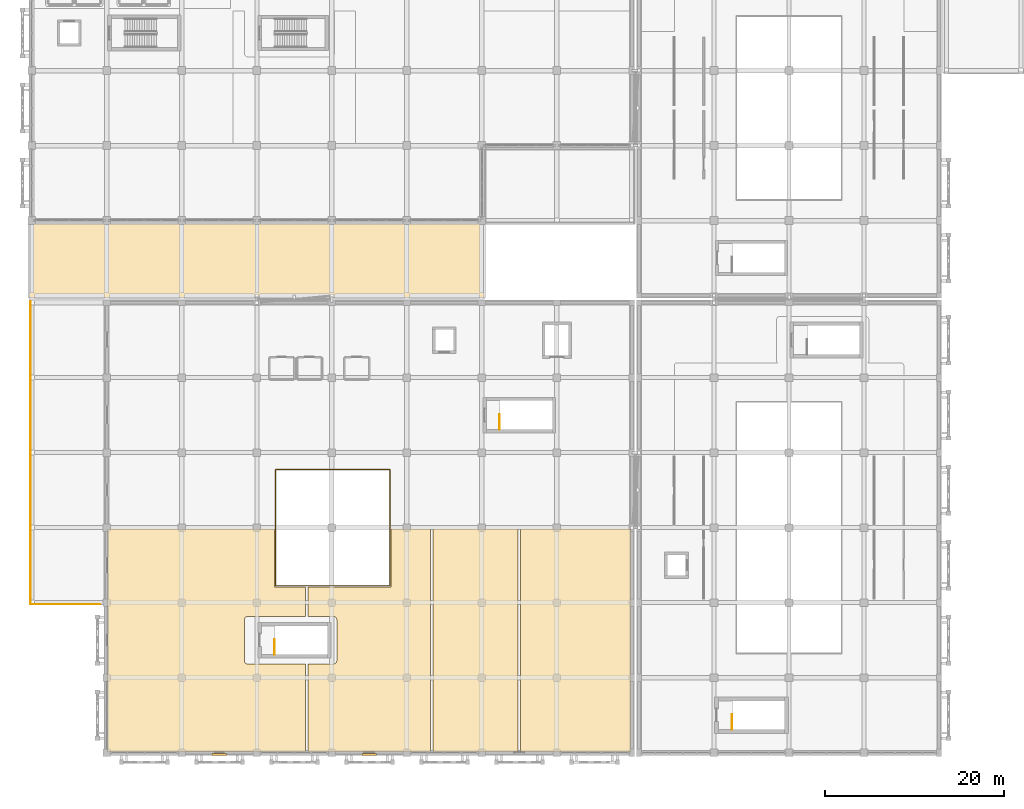
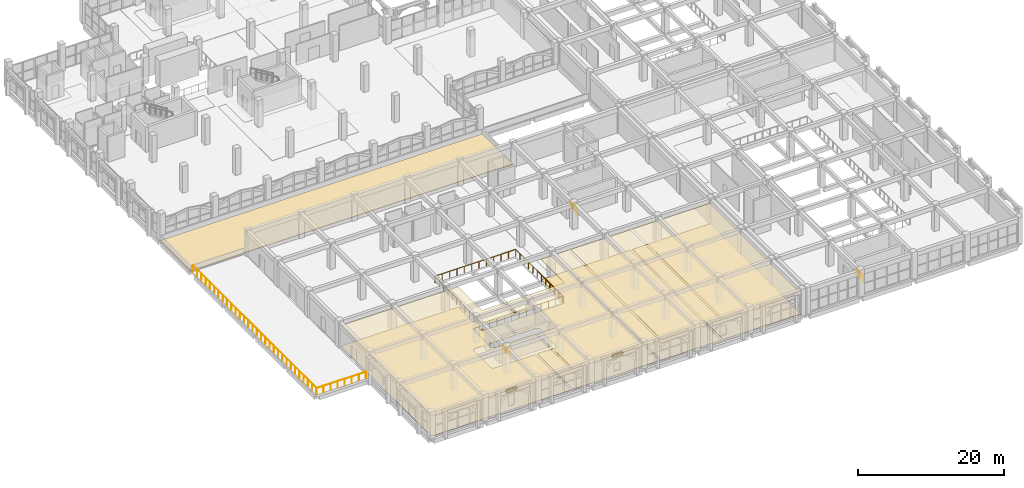
# One storey, part 119 of 129: 9 coverings, 5 railings, 2 shading devices.
"""IFC4 building model written with IfcOpenShell, lengths in metres."""

from ifc_helpers import new_model, si_unit, direction, frame, origin, origin_2d, place, context, subcontext, project, spatial, polyline, rectangle, circle, outline, extrude, material, layer, layer_set, type_object, element, save


model = new_model("IFC4")

# Units and contexts
model_context = context("Model", 3, precision=1e-05, world=origin(), true_north=direction((0.0, 1.0)))
body_context = subcontext(model_context, "Body", "Model", "MODEL_VIEW")
ifc_project = project(units=[si_unit("LENGTHUNIT", "METRE"), si_unit("AREAUNIT", "SQUARE_METRE"), si_unit("VOLUMEUNIT", "CUBIC_METRE"), si_unit("PLANEANGLEUNIT", "RADIAN"), si_unit("MASSUNIT", "GRAM", prefix="KILO")], contexts=[model_context])

# Site, building, storey
site_placement = place(None, origin())
site = spatial("IfcSite", under=ifc_project, at=site_placement, CompositionType="ELEMENT")
building_placement = place(site_placement, origin())
building = spatial("IfcBuilding", under=site, at=building_placement, Name="Xazarin Passage Department Store", CompositionType="ELEMENT")
storey_placement = place(building_placement, frame((0.0, 0.0, 9.89990234375)))
storey = spatial("IfcBuildingStorey", under=building, at=storey_placement, Name="L02", CompositionType="ELEMENT", Elevation=9.89990234375)

# Coverings
ifc_material_1 = material(Name="Acoustic mineral ceiling")
ifc_layer_1 = layer(ifc_material_1, 0.030029296875)
ifc_layer_set_1 = layer_set([ifc_layer_1], Name="Acoustic mineral ceiling")
covering_type_1 = type_object("IfcCoveringType", Name="ARC-COV-CLG030", PredefinedType="CEILING", material=ifc_layer_set_1)
covering_1_placement = place(storey_placement, frame((0.0, 0.0, 3.41015625)))
element("IfcCovering", 1, at=covering_1_placement, inside=storey, type_object=covering_type_1, Name="L02 Food Hall Acoustic Ceiling", PredefinedType="CEILING", context=body_context, shape_type="SweptSolid", body=[
    extrude(outline(polyline([(30.64990234375, 9.929931640625), (24.199951171875, 9.929931640625), (24.160888671875, 9.931884765625), (24.1220703125, 9.937744140625), (24.083984375, 9.947265625), (24.046875, 9.96044921875), (24.011474609375, 9.977294921875), (23.977783203125, 9.997314453125), (23.9462890625, 10.020751953125), (23.917236328125, 10.047119140625), (23.890869140625, 10.076171875), (23.867431640625, 10.10791015625), (23.84716796875, 10.141357421875), (23.830322265625, 10.177001953125), (23.817138671875, 10.2138671875), (23.8076171875, 10.251953125), (23.802001953125, 10.290771484375), (23.800048828125, 10.330078125), (23.800048828125, 14.8701171875), (23.802001953125, 14.9091796875), (23.8076171875, 14.947998046875), (23.817138671875, 14.986083984375), (23.830322265625, 15.023193359375), (23.84716796875, 15.05859375), (23.867431640625, 15.09228515625), (23.890869140625, 15.123779296875), (23.917236328125, 15.15283203125), (23.9462890625, 15.17919921875), (23.977783203125, 15.20263671875), (24.011474609375, 15.222900390625), (24.046875, 15.239501953125), (24.083984375, 15.252685546875), (24.1220703125, 15.26220703125), (24.160888671875, 15.26806640625), (24.199951171875, 15.27001953125), (30.64990234375, 15.27001953125), (30.64990234375, 18.550048828125), (27.14990234375, 18.550048828125), (27.14990234375, 25.050048828125), (8.5, 25.050048828125), (8.5, 0.10009765625), (30.64990234375, 0.10009765625), (30.64990234375, 9.929931640625)])), origin(), (0.0, 0.0, 1.0), 0.030029296875),
])
covering_2_placement = place(storey_placement, frame((0.0, 0.0, 3.41015625)))
element("IfcCovering", 2, at=covering_2_placement, inside=storey, type_object=covering_type_1, Name="L02 Pomegranate Bistro Acoustic Ceiling", PredefinedType="CEILING", context=body_context, shape_type="SweptSolid", body=[
    extrude(outline(polyline([(44.949951171875, 0.10009765625), (54.449951171875, 0.10009765625), (54.449951171875, 25.050048828125), (44.949951171875, 25.050048828125), (44.949951171875, 0.10009765625)])), origin(), (0.0, 0.0, 1.0), 0.030029296875),
])
ifc_layer_2 = layer(ifc_material_1, 0.0400390625)
ifc_layer_set_2 = layer_set([ifc_layer_2], Name="Acoustic mineral ceiling")
covering_type_2 = type_object("IfcCoveringType", Name="ARC-COV-CLG040", PredefinedType="CEILING", material=ifc_layer_set_2)
covering_3_placement = place(storey_placement, frame((0.0, 0.0, 3.400146484375)))
element("IfcCovering", 3, at=covering_3_placement, inside=storey, type_object=covering_type_2, Name="L02 Culinary Demonstration Studio Acoustic Ceiling", PredefinedType="CEILING", context=body_context, shape_type="SweptSolid", body=[
    extrude(outline(polyline([(30.949951171875, 15.27001953125), (33.75, 15.27001953125), (33.789306640625, 15.26806640625), (33.827880859375, 15.26220703125), (33.8662109375, 15.252685546875), (33.903076171875, 15.239501953125), (33.938720703125, 15.222900390625), (33.97216796875, 15.20263671875), (34.00390625, 15.17919921875), (34.03271484375, 15.15283203125), (34.05908203125, 15.123779296875), (34.08251953125, 15.09228515625), (34.102783203125, 15.05859375), (34.11962890625, 15.023193359375), (34.1328125, 14.986083984375), (34.142333984375, 14.947998046875), (34.148193359375, 14.9091796875), (34.14990234375, 14.8701171875), (34.14990234375, 10.330078125), (34.148193359375, 10.290771484375), (34.142333984375, 10.251953125), (34.1328125, 10.2138671875), (34.11962890625, 10.177001953125), (34.102783203125, 10.141357421875), (34.08251953125, 10.10791015625), (34.05908203125, 10.076171875), (34.03271484375, 10.047119140625), (34.00390625, 10.020751953125), (33.97216796875, 9.997314453125), (33.938720703125, 9.977294921875), (33.903076171875, 9.96044921875), (33.8662109375, 9.947265625), (33.827880859375, 9.937744140625), (33.789306640625, 9.931884765625), (33.75, 9.929931640625), (30.949951171875, 9.929931640625), (30.949951171875, 0.10009765625), (44.64990234375, 0.10009765625), (44.64990234375, 25.050048828125), (40.25, 25.050048828125), (40.25, 18.550048828125), (30.949951171875, 18.550048828125), (30.949951171875, 15.27001953125)])), origin(), (0.0, 0.0, 1.0), 0.0400390625),
])
covering_4_placement = place(storey_placement, frame((0.0, 0.0, 3.400146484375)))
element("IfcCovering", 4, at=covering_4_placement, inside=storey, type_object=covering_type_2, Name="L02 Caspian Seafood Kitchen Acoustic Ceiling", PredefinedType="CEILING", context=body_context, shape_type="SweptSolid", body=[
    extrude(outline(polyline([(54.75, 0.10009765625), (67.10009765625, 0.10009765625), (67.10009765625, 25.050048828125), (54.75, 25.050048828125), (54.75, 0.10009765625)])), origin(), (0.0, 0.0, 1.0), 0.0400390625),
])
ifc_material_2 = material(Name="Terrazzo stone flooring", Category="masonry")
ifc_layer_3 = layer(ifc_material_2, 0.02490234375)
ifc_layer_set_3 = layer_set([ifc_layer_3], Name="Terrazzo stone flooring")
covering_type_3 = type_object("IfcCoveringType", Name="ARC-COV-FLR025", PredefinedType="FLOORING", material=ifc_layer_set_3)
covering_5_placement = place(storey_placement, origin())
element("IfcCovering", 5, at=covering_5_placement, inside=storey, type_object=covering_type_3, Name="L02 Food Hall Terrazzo Flooring", PredefinedType="FLOORING", context=body_context, shape_type="SweptSolid", body=[
    extrude(outline(polyline([(30.64990234375, 9.929931640625), (24.199951171875, 9.929931640625), (24.160888671875, 9.931884765625), (24.1220703125, 9.937744140625), (24.083984375, 9.947265625), (24.046875, 9.96044921875), (24.011474609375, 9.977294921875), (23.977783203125, 9.997314453125), (23.9462890625, 10.020751953125), (23.917236328125, 10.047119140625), (23.890869140625, 10.076171875), (23.867431640625, 10.10791015625), (23.84716796875, 10.141357421875), (23.830322265625, 10.177001953125), (23.817138671875, 10.2138671875), (23.8076171875, 10.251953125), (23.802001953125, 10.290771484375), (23.800048828125, 10.330078125), (23.800048828125, 14.8701171875), (23.802001953125, 14.9091796875), (23.8076171875, 14.947998046875), (23.817138671875, 14.986083984375), (23.830322265625, 15.023193359375), (23.84716796875, 15.05859375), (23.867431640625, 15.09228515625), (23.890869140625, 15.123779296875), (23.917236328125, 15.15283203125), (23.9462890625, 15.17919921875), (23.977783203125, 15.20263671875), (24.011474609375, 15.222900390625), (24.046875, 15.239501953125), (24.083984375, 15.252685546875), (24.1220703125, 15.26220703125), (24.160888671875, 15.26806640625), (24.199951171875, 15.27001953125), (30.64990234375, 15.27001953125), (30.64990234375, 18.550048828125), (27.14990234375, 18.550048828125), (27.14990234375, 25.050048828125), (8.5, 25.050048828125), (8.5, 0.10009765625), (30.64990234375, 0.10009765625), (30.64990234375, 9.929931640625)])), origin(), (0.0, 0.0, 1.0), 0.025146484375),
])
covering_6_placement = place(storey_placement, origin())
element("IfcCovering", 6, at=covering_6_placement, inside=storey, type_object=covering_type_3, Name="L02 Pomegranate Bistro Terrazzo Flooring", PredefinedType="FLOORING", context=body_context, shape_type="SweptSolid", body=[
    extrude(outline(polyline([(44.949951171875, 0.10009765625), (54.449951171875, 0.10009765625), (54.449951171875, 25.050048828125), (44.949951171875, 25.050048828125), (44.949951171875, 0.10009765625)])), origin(), (0.0, 0.0, 1.0), 0.025146484375),
])
ifc_layer_4 = layer(ifc_material_2, 0.034912109375)
ifc_layer_set_4 = layer_set([ifc_layer_4], Name="Terrazzo stone flooring")
covering_type_4 = type_object("IfcCoveringType", Name="ARC-COV-FLR035", PredefinedType="FLOORING", material=ifc_layer_set_4)
covering_7_placement = place(storey_placement, origin())
element("IfcCovering", 7, at=covering_7_placement, inside=storey, type_object=covering_type_4, Name="L02 Culinary Demonstration Studio Terrazzo Flooring", PredefinedType="FLOORING", context=body_context, shape_type="SweptSolid", body=[
    extrude(outline(polyline([(30.949951171875, 15.27001953125), (33.75, 15.27001953125), (33.789306640625, 15.26806640625), (33.827880859375, 15.26220703125), (33.8662109375, 15.252685546875), (33.903076171875, 15.239501953125), (33.938720703125, 15.222900390625), (33.97216796875, 15.20263671875), (34.00390625, 15.17919921875), (34.03271484375, 15.15283203125), (34.05908203125, 15.123779296875), (34.08251953125, 15.09228515625), (34.102783203125, 15.05859375), (34.11962890625, 15.023193359375), (34.1328125, 14.986083984375), (34.142333984375, 14.947998046875), (34.148193359375, 14.9091796875), (34.14990234375, 14.8701171875), (34.14990234375, 10.330078125), (34.148193359375, 10.290771484375), (34.142333984375, 10.251953125), (34.1328125, 10.2138671875), (34.11962890625, 10.177001953125), (34.102783203125, 10.141357421875), (34.08251953125, 10.10791015625), (34.05908203125, 10.076171875), (34.03271484375, 10.047119140625), (34.00390625, 10.020751953125), (33.97216796875, 9.997314453125), (33.938720703125, 9.977294921875), (33.903076171875, 9.96044921875), (33.8662109375, 9.947265625), (33.827880859375, 9.937744140625), (33.789306640625, 9.931884765625), (33.75, 9.929931640625), (30.949951171875, 9.929931640625), (30.949951171875, 0.10009765625), (44.64990234375, 0.10009765625), (44.64990234375, 25.050048828125), (40.25, 25.050048828125), (40.25, 18.550048828125), (30.949951171875, 18.550048828125), (30.949951171875, 15.27001953125)])), origin(), (0.0, 0.0, 1.0), 0.03515625),
])
covering_8_placement = place(storey_placement, origin())
element("IfcCovering", 8, at=covering_8_placement, inside=storey, type_object=covering_type_4, Name="L02 Caspian Seafood Kitchen Terrazzo Flooring", PredefinedType="FLOORING", context=body_context, shape_type="SweptSolid", body=[
    extrude(outline(polyline([(54.75, 0.10009765625), (67.10009765625, 0.10009765625), (67.10009765625, 25.050048828125), (54.75, 25.050048828125), (54.75, 0.10009765625)])), origin(), (0.0, 0.0, 1.0), 0.03515625),
])
ifc_material_3 = material(Name="Insulated waterproof roofing membrane")
ifc_layer_5 = layer(ifc_material_3, 0.080078125)
ifc_layer_set_5 = layer_set([ifc_layer_5], Name="Insulated waterproof roofing membrane")
covering_type_5 = type_object("IfcCoveringType", Name="ARC-COV-RFG080", PredefinedType="ROOFING", material=ifc_layer_set_5)
covering_9_placement = place(storey_placement, origin())
element("IfcCovering", 9, at=covering_9_placement, inside=storey, type_object=covering_type_5, Name="L02 Insulated Roofing Membrane SLB-V1-L02-STEP-2", PredefinedType="ROOFING", context=body_context, shape_type="SweptSolid", body=[
    extrude(outline(polyline([(-0.300048828125, 59.25), (-0.300048828125, 50.89990234375), (50.699951171875, 50.89990234375), (50.699951171875, 59.25), (-0.300048828125, 59.25)])), origin(), (0.0, 0.0, 1.0), 0.080078125),
])

# Railings
ifc_material_4 = material(Name="Low-E laminated safety glass", Category="glass")
railing_type_1 = type_object("IfcRailingType", Name="ARC-RL-BAL115", PredefinedType="BALUSTRADE", material=ifc_material_4)
railing_1_placement = place(storey_placement, frame((27.300048828125, 18.699951171875, 0.0)))
element("IfcRailing", 10, at=railing_1_placement, inside=storey, type_object=railing_type_1, Name="L02 Void Edge Balustrade 0008", PredefinedType="BALUSTRADE", context=body_context, shape_type="SweptSolid", body=[
    extrude(circle(Radius=0.02392578125, at=origin_2d()), frame((0.03125, 0.0, 1.1259765625), z_axis=(1.0, 0.0, 0.0), x_axis=(0.0, 1.0, 0.0)), (0.0, 0.0, 1.0), 12.737548828125),
    extrude(circle(Radius=0.02392578125, at=origin_2d()), frame((12.800048828125, 0.03125, 1.1259765625), z_axis=(0.0, 1.0, 0.0), x_axis=(-1.0, 0.0, 0.0)), (0.0, 0.0, 1.0), 12.9375),
    extrude(circle(Radius=0.02392578125, at=origin_2d()), frame((12.768798828125, 13.0, 1.1259765625), z_axis=(-1.0, 0.0, 0.0), x_axis=(0.0, -1.0, 0.0)), (0.0, 0.0, 1.0), 12.737548828125),
    extrude(circle(Radius=0.02392578125, at=origin_2d()), frame((0.0, 12.96875, 1.1259765625), z_axis=(0.0, -1.0, 0.0), x_axis=(1.0, 0.0, 0.0)), (0.0, 0.0, 1.0), 12.9375),
    extrude(circle(Radius=0.02099609375, at=origin_2d()), origin(), (0.0, 0.0, 1.0), 1.1015625),
    extrude(circle(Radius=0.02099609375, at=origin_2d()), frame((1.16357421875, 0.0, 0.0)), (0.0, 0.0, 1.0), 1.1015625),
    extrude(circle(Radius=0.02099609375, at=origin_2d()), frame((2.327392578125, 0.0, 0.0)), (0.0, 0.0, 1.0), 1.1015625),
    extrude(circle(Radius=0.02099609375, at=origin_2d()), frame((3.490966796875, 0.0, 0.0)), (0.0, 0.0, 1.0), 1.1015625),
    extrude(circle(Radius=0.02099609375, at=origin_2d()), frame((4.654541015625, 0.0, 0.0)), (0.0, 0.0, 1.0), 1.1015625),
    extrude(circle(Radius=0.02099609375, at=origin_2d()), frame((5.818115234375, 0.0, 0.0)), (0.0, 0.0, 1.0), 1.1015625),
    extrude(circle(Radius=0.02099609375, at=origin_2d()), frame((6.98193359375, 0.0, 0.0)), (0.0, 0.0, 1.0), 1.1015625),
    extrude(circle(Radius=0.02099609375, at=origin_2d()), frame((8.1455078125, 0.0, 0.0)), (0.0, 0.0, 1.0), 1.1015625),
    extrude(circle(Radius=0.02099609375, at=origin_2d()), frame((9.30908203125, 0.0, 0.0)), (0.0, 0.0, 1.0), 1.1015625),
    extrude(circle(Radius=0.02099609375, at=origin_2d()), frame((10.47265625, 0.0, 0.0)), (0.0, 0.0, 1.0), 1.1015625),
    extrude(circle(Radius=0.02099609375, at=origin_2d()), frame((11.636474609375, 0.0, 0.0)), (0.0, 0.0, 1.0), 1.1015625),
    extrude(circle(Radius=0.02099609375, at=origin_2d()), frame((12.800048828125, 0.0, 0.0)), (0.0, 0.0, 1.0), 1.1015625),
    extrude(circle(Radius=0.02099609375, at=origin_2d()), frame((12.800048828125, 1.181884765625, 0.0)), (0.0, 0.0, 1.0), 1.1015625),
    extrude(circle(Radius=0.02099609375, at=origin_2d()), frame((12.800048828125, 2.363525390625, 0.0)), (0.0, 0.0, 1.0), 1.1015625),
    extrude(circle(Radius=0.02099609375, at=origin_2d()), frame((12.800048828125, 3.54541015625, 0.0)), (0.0, 0.0, 1.0), 1.1015625),
    extrude(circle(Radius=0.02099609375, at=origin_2d()), frame((12.800048828125, 4.727294921875, 0.0)), (0.0, 0.0, 1.0), 1.1015625),
    extrude(circle(Radius=0.02099609375, at=origin_2d()), frame((12.800048828125, 5.9091796875, 0.0)), (0.0, 0.0, 1.0), 1.1015625),
    extrude(circle(Radius=0.02099609375, at=origin_2d()), frame((12.800048828125, 7.0908203125, 0.0)), (0.0, 0.0, 1.0), 1.1015625),
    extrude(circle(Radius=0.02099609375, at=origin_2d()), frame((12.800048828125, 8.272705078125, 0.0)), (0.0, 0.0, 1.0), 1.1015625),
    extrude(circle(Radius=0.02099609375, at=origin_2d()), frame((12.800048828125, 9.45458984375, 0.0)), (0.0, 0.0, 1.0), 1.1015625),
    extrude(circle(Radius=0.02099609375, at=origin_2d()), frame((12.800048828125, 10.636474609375, 0.0)), (0.0, 0.0, 1.0), 1.1015625),
    extrude(circle(Radius=0.02099609375, at=origin_2d()), frame((12.800048828125, 11.818115234375, 0.0)), (0.0, 0.0, 1.0), 1.1015625),
    extrude(circle(Radius=0.02099609375, at=origin_2d()), frame((12.800048828125, 13.0, 0.0)), (0.0, 0.0, 1.0), 1.1015625),
    extrude(circle(Radius=0.02099609375, at=origin_2d()), frame((11.636474609375, 13.0, 0.0)), (0.0, 0.0, 1.0), 1.1015625),
    extrude(circle(Radius=0.02099609375, at=origin_2d()), frame((10.47265625, 13.0, 0.0)), (0.0, 0.0, 1.0), 1.1015625),
    extrude(circle(Radius=0.02099609375, at=origin_2d()), frame((9.30908203125, 13.0, 0.0)), (0.0, 0.0, 1.0), 1.1015625),
    extrude(circle(Radius=0.02099609375, at=origin_2d()), frame((8.1455078125, 13.0, 0.0)), (0.0, 0.0, 1.0), 1.1015625),
    extrude(circle(Radius=0.02099609375, at=origin_2d()), frame((6.98193359375, 13.0, 0.0)), (0.0, 0.0, 1.0), 1.1015625),
    extrude(circle(Radius=0.02099609375, at=origin_2d()), frame((5.818115234375, 13.0, 0.0)), (0.0, 0.0, 1.0), 1.1015625),
    extrude(circle(Radius=0.02099609375, at=origin_2d()), frame((4.654541015625, 13.0, 0.0)), (0.0, 0.0, 1.0), 1.1015625),
    extrude(circle(Radius=0.02099609375, at=origin_2d()), frame((3.490966796875, 13.0, 0.0)), (0.0, 0.0, 1.0), 1.1015625),
    extrude(circle(Radius=0.02099609375, at=origin_2d()), frame((2.327392578125, 13.0, 0.0)), (0.0, 0.0, 1.0), 1.1015625),
    extrude(circle(Radius=0.02099609375, at=origin_2d()), frame((1.16357421875, 13.0, 0.0)), (0.0, 0.0, 1.0), 1.1015625),
    extrude(circle(Radius=0.02099609375, at=origin_2d()), frame((0.0, 13.0, 0.0)), (0.0, 0.0, 1.0), 1.1015625),
    extrude(circle(Radius=0.02099609375, at=origin_2d()), frame((0.0, 11.818115234375, 0.0)), (0.0, 0.0, 1.0), 1.1015625),
    extrude(circle(Radius=0.02099609375, at=origin_2d()), frame((0.0, 10.636474609375, 0.0)), (0.0, 0.0, 1.0), 1.1015625),
    extrude(circle(Radius=0.02099609375, at=origin_2d()), frame((0.0, 9.45458984375, 0.0)), (0.0, 0.0, 1.0), 1.1015625),
    extrude(circle(Radius=0.02099609375, at=origin_2d()), frame((0.0, 8.272705078125, 0.0)), (0.0, 0.0, 1.0), 1.1015625),
    extrude(circle(Radius=0.02099609375, at=origin_2d()), frame((0.0, 7.0908203125, 0.0)), (0.0, 0.0, 1.0), 1.1015625),
    extrude(circle(Radius=0.02099609375, at=origin_2d()), frame((0.0, 5.9091796875, 0.0)), (0.0, 0.0, 1.0), 1.1015625),
    extrude(circle(Radius=0.02099609375, at=origin_2d()), frame((0.0, 4.727294921875, 0.0)), (0.0, 0.0, 1.0), 1.1015625),
    extrude(circle(Radius=0.02099609375, at=origin_2d()), frame((0.0, 3.54541015625, 0.0)), (0.0, 0.0, 1.0), 1.1015625),
    extrude(circle(Radius=0.02099609375, at=origin_2d()), frame((0.0, 2.363525390625, 0.0)), (0.0, 0.0, 1.0), 1.1015625),
    extrude(circle(Radius=0.02099609375, at=origin_2d()), frame((0.0, 1.181884765625, 0.0)), (0.0, 0.0, 1.0), 1.1015625),
])
ifc_material_5 = material(Name="Steel S355", Category="steel")
railing_type_2 = type_object("IfcRailingType", Name="ARC-RL-GRD112", PredefinedType="GUARDRAIL", material=ifc_material_5)
railing_2_placement = place(storey_placement, frame((7.64990234375, 16.6298828125, 0.0)))
element("IfcRailing", 11, at=railing_2_placement, inside=storey, type_object=railing_type_2, Name="L02 Roof Terrace Perimeter Guard 0009", PredefinedType="GUARDRAIL", context=body_context, shape_type="SweptSolid", body=[
    extrude(circle(Radius=0.02392578125, at=origin_2d()), frame((-0.03125, 0.0, 1.09619140625), z_axis=(-1.0, 0.0, 0.0), x_axis=(0.0, -1.0, 0.0)), (0.0, 0.0, 1.0), 7.75732421875),
    extrude(circle(Radius=0.02392578125, at=origin_2d()), frame((-7.81982421875, 0.03125, 1.09619140625), z_axis=(0.0, 1.0, 0.0), x_axis=(-1.0, 0.0, 0.0)), (0.0, 0.0, 1.0), 33.857666015625),
    extrude(circle(Radius=0.02099609375, at=origin_2d()), origin(), (0.0, 0.0, 1.0), 1.07177734375),
    extrude(circle(Radius=0.02099609375, at=origin_2d()), frame((-1.1171875, 0.0, 0.0)), (0.0, 0.0, 1.0), 1.07177734375),
    extrude(circle(Radius=0.02099609375, at=origin_2d()), frame((-2.234130859375, 0.0, 0.0)), (0.0, 0.0, 1.0), 1.07177734375),
    extrude(circle(Radius=0.02099609375, at=origin_2d()), frame((-3.351318359375, 0.0, 0.0)), (0.0, 0.0, 1.0), 1.07177734375),
    extrude(circle(Radius=0.02099609375, at=origin_2d()), frame((-4.468505859375, 0.0, 0.0)), (0.0, 0.0, 1.0), 1.07177734375),
    extrude(circle(Radius=0.02099609375, at=origin_2d()), frame((-5.585693359375, 0.0, 0.0)), (0.0, 0.0, 1.0), 1.07177734375),
    extrude(circle(Radius=0.02099609375, at=origin_2d()), frame((-6.70263671875, 0.0, 0.0)), (0.0, 0.0, 1.0), 1.07177734375),
    extrude(circle(Radius=0.02099609375, at=origin_2d()), frame((-7.81982421875, 0.0, 0.0)), (0.0, 0.0, 1.0), 1.07177734375),
    extrude(circle(Radius=0.02099609375, at=origin_2d()), frame((-7.81982421875, 1.169677734375, 0.0)), (0.0, 0.0, 1.0), 1.07177734375),
    extrude(circle(Radius=0.02099609375, at=origin_2d()), frame((-7.81982421875, 2.33935546875, 0.0)), (0.0, 0.0, 1.0), 1.07177734375),
    extrude(circle(Radius=0.02099609375, at=origin_2d()), frame((-7.81982421875, 3.509033203125, 0.0)), (0.0, 0.0, 1.0), 1.07177734375),
    extrude(circle(Radius=0.02099609375, at=origin_2d()), frame((-7.81982421875, 4.6787109375, 0.0)), (0.0, 0.0, 1.0), 1.07177734375),
    extrude(circle(Radius=0.02099609375, at=origin_2d()), frame((-7.81982421875, 5.848388671875, 0.0)), (0.0, 0.0, 1.0), 1.07177734375),
    extrude(circle(Radius=0.02099609375, at=origin_2d()), frame((-7.81982421875, 7.01806640625, 0.0)), (0.0, 0.0, 1.0), 1.07177734375),
    extrude(circle(Radius=0.02099609375, at=origin_2d()), frame((-7.81982421875, 8.187744140625, 0.0)), (0.0, 0.0, 1.0), 1.07177734375),
    extrude(circle(Radius=0.02099609375, at=origin_2d()), frame((-7.81982421875, 9.357177734375, 0.0)), (0.0, 0.0, 1.0), 1.07177734375),
    extrude(circle(Radius=0.02099609375, at=origin_2d()), frame((-7.81982421875, 10.52685546875, 0.0)), (0.0, 0.0, 1.0), 1.07177734375),
    extrude(circle(Radius=0.02099609375, at=origin_2d()), frame((-7.81982421875, 11.696533203125, 0.0)), (0.0, 0.0, 1.0), 1.07177734375),
    extrude(circle(Radius=0.02099609375, at=origin_2d()), frame((-7.81982421875, 12.8662109375, 0.0)), (0.0, 0.0, 1.0), 1.07177734375),
    extrude(circle(Radius=0.02099609375, at=origin_2d()), frame((-7.81982421875, 14.035888671875, 0.0)), (0.0, 0.0, 1.0), 1.07177734375),
    extrude(circle(Radius=0.02099609375, at=origin_2d()), frame((-7.81982421875, 15.20556640625, 0.0)), (0.0, 0.0, 1.0), 1.07177734375),
    extrude(circle(Radius=0.02099609375, at=origin_2d()), frame((-7.81982421875, 16.375244140625, 0.0)), (0.0, 0.0, 1.0), 1.07177734375),
    extrude(circle(Radius=0.02099609375, at=origin_2d()), frame((-7.81982421875, 17.544921875, 0.0)), (0.0, 0.0, 1.0), 1.07177734375),
    extrude(circle(Radius=0.02099609375, at=origin_2d()), frame((-7.81982421875, 18.714599609375, 0.0)), (0.0, 0.0, 1.0), 1.07177734375),
    extrude(circle(Radius=0.02099609375, at=origin_2d()), frame((-7.81982421875, 19.88427734375, 0.0)), (0.0, 0.0, 1.0), 1.07177734375),
    extrude(circle(Radius=0.02099609375, at=origin_2d()), frame((-7.81982421875, 21.053955078125, 0.0)), (0.0, 0.0, 1.0), 1.07177734375),
    extrude(circle(Radius=0.02099609375, at=origin_2d()), frame((-7.81982421875, 22.2236328125, 0.0)), (0.0, 0.0, 1.0), 1.07177734375),
    extrude(circle(Radius=0.02099609375, at=origin_2d()), frame((-7.81982421875, 23.393310546875, 0.0)), (0.0, 0.0, 1.0), 1.07177734375),
    extrude(circle(Radius=0.02099609375, at=origin_2d()), frame((-7.81982421875, 24.56298828125, 0.0)), (0.0, 0.0, 1.0), 1.07177734375),
    extrude(circle(Radius=0.02099609375, at=origin_2d()), frame((-7.81982421875, 25.732421875, 0.0)), (0.0, 0.0, 1.0), 1.07177734375),
    extrude(circle(Radius=0.02099609375, at=origin_2d()), frame((-7.81982421875, 26.902099609375, 0.0)), (0.0, 0.0, 1.0), 1.07177734375),
    extrude(circle(Radius=0.02099609375, at=origin_2d()), frame((-7.81982421875, 28.07177734375, 0.0)), (0.0, 0.0, 1.0), 1.07177734375),
    extrude(circle(Radius=0.02099609375, at=origin_2d()), frame((-7.81982421875, 29.241455078125, 0.0)), (0.0, 0.0, 1.0), 1.07177734375),
    extrude(circle(Radius=0.02099609375, at=origin_2d()), frame((-7.81982421875, 30.4111328125, 0.0)), (0.0, 0.0, 1.0), 1.07177734375),
    extrude(circle(Radius=0.02099609375, at=origin_2d()), frame((-7.81982421875, 31.580810546875, 0.0)), (0.0, 0.0, 1.0), 1.07177734375),
    extrude(circle(Radius=0.02099609375, at=origin_2d()), frame((-7.81982421875, 32.75048828125, 0.0)), (0.0, 0.0, 1.0), 1.07177734375),
    extrude(circle(Radius=0.02099609375, at=origin_2d()), frame((-7.81982421875, 33.920166015625, 0.0)), (0.0, 0.0, 1.0), 1.07177734375),
])
for number, where, name in (
    (12, (78.389892578125, 2.580078125, 0.0), "L02 ST4 top well guard 1"),
    (13, (27.18994140625, 10.97998046875, 0.0), "L02 ST8 top well guard 1"),
    (14, (52.389892578125, 36.179931640625, 0.0), "L02 ST9 top well guard 1"),
):
    element("IfcRailing", number, at=place(storey_placement, frame(where)), inside=storey, type_object=railing_type_2, Name=name, PredefinedType="GUARDRAIL", context=body_context, shape_type="SweptSolid", body=[
        extrude(circle(Radius=0.02392578125, at=origin_2d()), frame((0.0, 0.0, 1.076171875), z_axis=(0.0, 1.0, 0.0), x_axis=(-1.0, 0.0, 0.0)), (0.0, 0.0, 1.0), 1.719970703125),
        extrude(circle(Radius=0.02099609375, at=origin_2d()), origin(), (0.0, 0.0, 1.0), 1.0517578125),
        extrude(circle(Radius=0.02099609375, at=origin_2d()), frame((0.0, 0.85986328125, 0.0)), (0.0, 0.0, 1.0), 1.0517578125),
        extrude(circle(Radius=0.02099609375, at=origin_2d()), frame((0.0, 1.719970703125, 0.0)), (0.0, 0.0, 1.0), 1.0517578125),
    ])

# Shading devices
ifc_material_6 = material(Name="Bronze anodised aluminium", Category="aluminium")
ifc_layer_6 = layer(ifc_material_6, 0.080078125)
ifc_layer_set_6 = layer_set([ifc_layer_6], Name="Bronze anodised aluminium")
shading_device_type = type_object("IfcShadingDeviceType", Name="ARC-SHD-LVR", PredefinedType="JALOUSIE", material=ifc_layer_set_6)
for number, where, z_axis, x_axis, name in (
    (15, (21.0, -0.179931640625, 3.4150390625), (0.0, 0.0, 1.0), (1.0, 0.0, 0.0), "L02 V3 Sun Shading Louvre 15"),
    (16, (37.800048828125, -0.18994140625, 3.4150390625), (0.0, 0.0, 1.0), (1.0, 0.0, 0.0), "L02 V3 Sun Shading Louvre 16"),
):
    element("IfcShadingDevice", number, at=place(storey_placement, frame(where, z_axis=z_axis, x_axis=x_axis)), inside=storey, type_object=shading_device_type, Name=name, PredefinedType="JALOUSIE", context=body_context, shape_type="SweptSolid", body=[
        extrude(rectangle(XDim=1.60009765625, YDim=0.239990234375, at=origin_2d()), origin(), (0.0, 0.0, 1.0), 0.449951171875),
    ])

save(model, "model.ifc")
